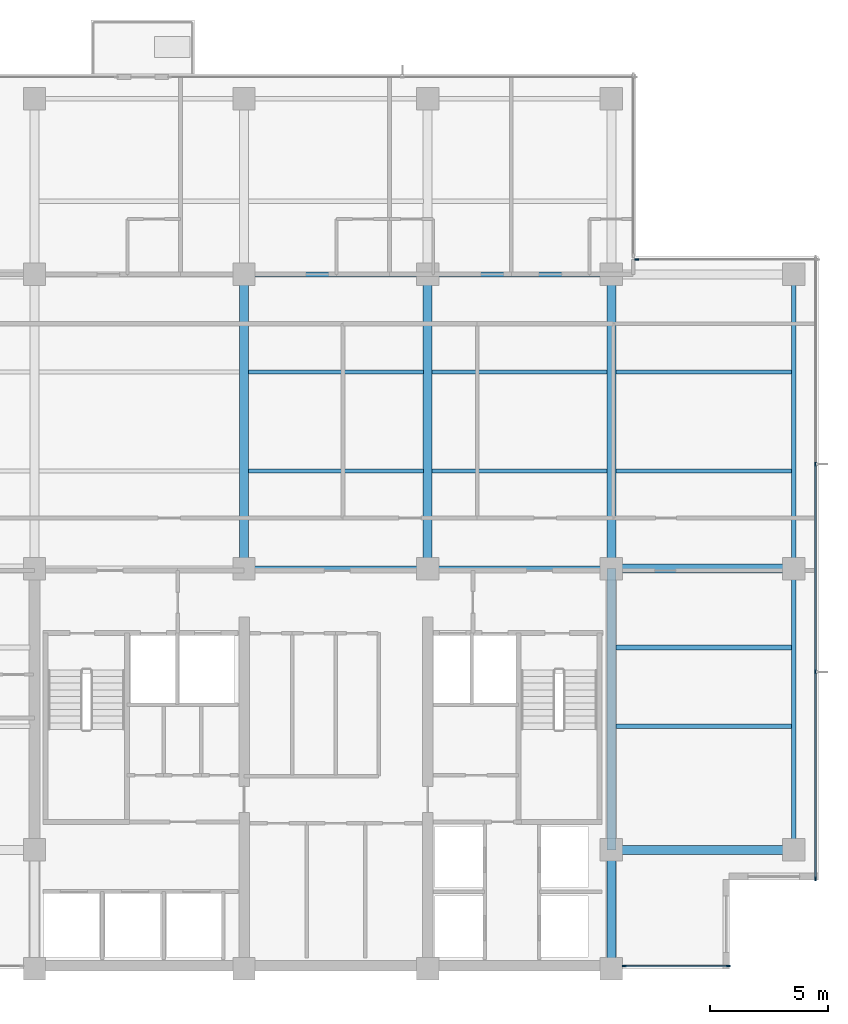
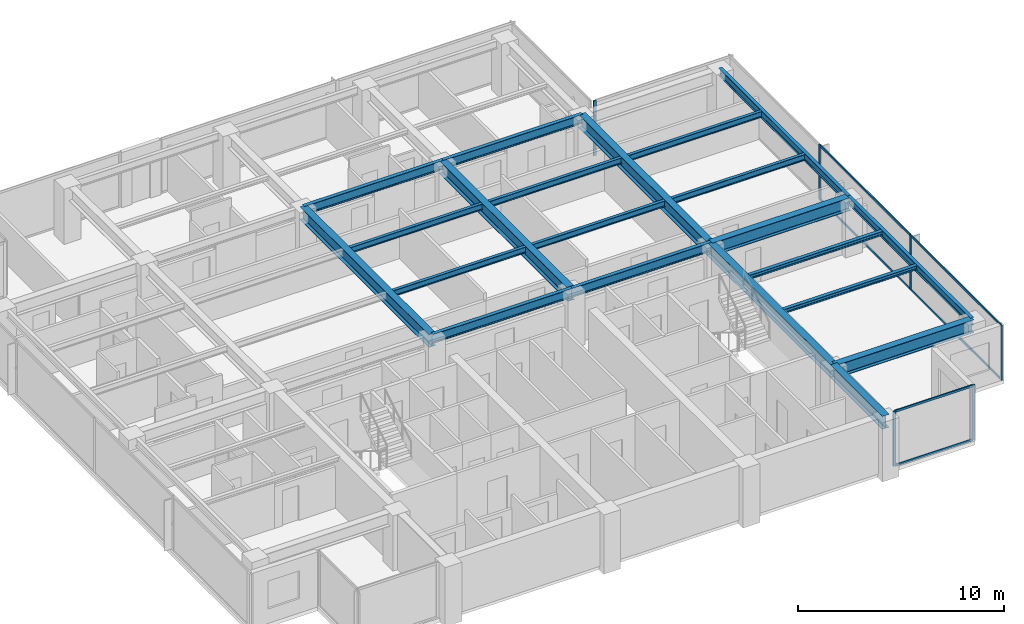
# One storey, part 3 of 14: 21 beams, 12 members, 3 elements without a shape of their own.
"""IFC4 building model written with IfcOpenShell, lengths in metres."""

from ifc_helpers import new_model, si_unit, direction, frame, origin, origin_2d, place, context, subcontext, project, spatial, rectangle, i_section, extrude, material, layer, layer_set, material_profile, profile_set, type_object, element, aggregate, save


model = new_model("IFC4")

# Units and contexts
model_context = context("Model", 3, precision=1e-05, world=origin(), true_north=direction((0.0, 1.0)))
body_context = subcontext(model_context, "Body", "Model", "MODEL_VIEW")
ifc_project = project(units=[si_unit("LENGTHUNIT", "METRE"), si_unit("AREAUNIT", "SQUARE_METRE"), si_unit("VOLUMEUNIT", "CUBIC_METRE"), si_unit("PLANEANGLEUNIT", "RADIAN"), si_unit("MASSUNIT", "GRAM", prefix="KILO")], contexts=[model_context])

# Site, building, storey
site_placement = place(None, origin())
site = spatial("IfcSite", under=ifc_project, at=site_placement, CompositionType="ELEMENT")
building_placement = place(site_placement, origin())
building = spatial("IfcBuilding", under=site, at=building_placement, Name="Qalmaran Belvedere Hotel", CompositionType="ELEMENT")
storey_placement = place(building_placement, frame((0.0, 0.0, 200.39990234375)))
storey = spatial("IfcBuildingStorey", under=building, at=storey_placement, Name="L50", CompositionType="ELEMENT", Elevation=200.39990234375)

# Beams
ifc_material_1 = material(Name="Steel S355JR", Category="steel")
ifc_material_profile_1 = material_profile(ifc_material_1, i_section(OverallWidth=0.201904296875, OverallDepth=0.2470703125, WebThickness=0.00732421875, FlangeThickness=0.010986328125, FilletRadius=0.011962890625, at=origin_2d()), Name="W250X49")
ifc_profile_set_1 = profile_set([ifc_material_profile_1], Name="Steel S355JR")
beam_type_1 = type_object("IfcBeamType", Name="BM-JST-W250X49", PredefinedType="JOIST", material=ifc_profile_set_1)
for number, where, z_axis, x_axis, name in (
    (1, (44.988525390625, 13.800048828125, 3.13671875), (1.0, 0.0, 0.0), (0.0, 1.0, 0.0), "L50 East Wing Joist 039"),
    (2, (44.988525390625, 17.14990234375, 3.13671875), (1.0, 0.0, 0.0), (0.0, 1.0, 0.0), "L50 East Wing Joist 041"),
):
    element("IfcBeam", number, at=place(storey_placement, frame(where, z_axis=z_axis, x_axis=x_axis)), inside=storey, type_object=beam_type_1, Name=name, PredefinedType="JOIST", context=body_context, shape_type="SweptSolid", body=[
        extrude(i_section(OverallWidth=0.201904296875, OverallDepth=0.2470703125, WebThickness=0.00732421875, FlangeThickness=0.010986328125, FilletRadius=0.011962890625, at=origin_2d()), origin(), (0.0, 0.0, 1.0), 7.467529296875),
    ])
ifc_material_profile_2 = material_profile(ifc_material_1, i_section(OverallWidth=0.381103515625, OverallDepth=0.77294921875, WebThickness=0.0166015625, FlangeThickness=0.027099609375, FilletRadius=0.02197265625, at=origin_2d()), Name="W760X257")
ifc_profile_set_2 = profile_set([ifc_material_profile_2], Name="Steel S355JR")
beam_type_2 = type_object("IfcBeamType", Name="BM-PG4-W760X257", PredefinedType="USERDEFINED", material=ifc_profile_set_2)
for number, where, z_axis, x_axis, name in (
    (3, (29.199951171875, 20.5, 2.87353515625), (0.0, 1.0, 0.0), (-1.0, 0.0, 0.0), "L50 Mid-Plate N-S Girder 16"),
    (4, (37.0, 20.5, 2.87353515625), (0.0, 1.0, 0.0), (-1.0, 0.0, 0.0), "L50 Mid-Plate N-S Girder 18"),
    (5, (44.800048828125, 20.5, 2.87353515625), (0.0, 1.0, 0.0), (-1.0, 0.0, 0.0), "L50 Mid-Plate N-S Girder 20"),
):
    element("IfcBeam", number, at=place(storey_placement, frame(where, z_axis=z_axis, x_axis=x_axis)), inside=storey, type_object=beam_type_2, Name=name, ObjectType="GIRDER", PredefinedType="USERDEFINED", context=body_context, shape_type="SweptSolid", body=[
        extrude(i_section(OverallWidth=0.381103515625, OverallDepth=0.77294921875, WebThickness=0.0166015625, FlangeThickness=0.027099609375, FilletRadius=0.02197265625, at=origin_2d()), origin(), (0.0, 0.0, 1.0), 12.5),
    ])
beam_1_placement = place(storey_placement, frame((44.800048828125, 3.5, 2.87353515625), z_axis=(0.0, 1.0, 0.0), x_axis=(-1.0, 0.0, 0.0)))
element("IfcBeam", 6, at=beam_1_placement, inside=storey, type_object=beam_type_2, Name="L50 East Core Edge Girder A", ObjectType="GIRDER", PredefinedType="USERDEFINED", context=body_context, shape_type="SweptSolid", body=[
    extrude(i_section(OverallWidth=0.381103515625, OverallDepth=0.77294921875, WebThickness=0.0166015625, FlangeThickness=0.027099609375, FilletRadius=0.02197265625, at=origin_2d()), origin(), (0.0, 0.0, 1.0), 5.050048828125),
])
beam_2_placement = place(storey_placement, frame((44.800048828125, 8.550048828125, 2.87353515625), z_axis=(0.0, 1.0, 0.0), x_axis=(-1.0, 0.0, 0.0)))
element("IfcBeam", 7, at=beam_2_placement, inside=storey, type_object=beam_type_2, Name="L50 East Core Edge Girder B", ObjectType="GIRDER", PredefinedType="USERDEFINED", context=body_context, shape_type="SweptSolid", body=[
    extrude(i_section(OverallWidth=0.381103515625, OverallDepth=0.77294921875, WebThickness=0.0166015625, FlangeThickness=0.027099609375, FilletRadius=0.02197265625, at=origin_2d()), origin(), (0.0, 0.0, 1.0), 11.949951171875),
])
for number, where, z_axis, x_axis, name in (
    (8, (44.800048828125, 8.550048828125, 2.87353515625), (1.0, 0.0, 0.0), (0.0, 1.0, 0.0), "L50 East Wing Girder 25"),
    (9, (44.800048828125, 20.5, 2.87353515625), (1.0, 0.0, 0.0), (0.0, 1.0, 0.0), "L50 East Wing Girder 26"),
):
    element("IfcBeam", number, at=place(storey_placement, frame(where, z_axis=z_axis, x_axis=x_axis)), inside=storey, type_object=beam_type_2, Name=name, ObjectType="GIRDER", PredefinedType="USERDEFINED", context=body_context, shape_type="SweptSolid", body=[
        extrude(i_section(OverallWidth=0.381103515625, OverallDepth=0.77294921875, WebThickness=0.0166015625, FlangeThickness=0.027099609375, FilletRadius=0.02197265625, at=origin_2d()), origin(), (0.0, 0.0, 1.0), 7.75),
    ])
ifc_material_profile_3 = material_profile(ifc_material_1, i_section(OverallWidth=0.172119140625, OverallDepth=0.35791015625, WebThickness=0.0078125, FlangeThickness=0.01318359375, FilletRadius=0.014892578125, at=origin_2d()), Name="W360X57")
ifc_profile_set_3 = profile_set([ifc_material_profile_3], Name="Steel S355JR")
beam_type_3 = type_object("IfcBeamType", Name="BM-SB4-W360X57", PredefinedType="BEAM", material=ifc_profile_set_3)
for number, where, z_axis, x_axis, name in (
    (10, (29.388427734375, 24.64990234375, 3.0810546875), (1.0, 0.0, 0.0), (0.0, 1.0, 0.0), "L50 Secondary Floor Beam 030"),
    (11, (37.1884765625, 24.64990234375, 3.0810546875), (1.0, 0.0, 0.0), (0.0, 1.0, 0.0), "L50 Secondary Floor Beam 031"),
):
    element("IfcBeam", number, at=place(storey_placement, frame(where, z_axis=z_axis, x_axis=x_axis)), inside=storey, type_object=beam_type_3, Name=name, PredefinedType="BEAM", context=body_context, shape_type="SweptSolid", body=[
        extrude(i_section(OverallWidth=0.172119140625, OverallDepth=0.35791015625, WebThickness=0.0078125, FlangeThickness=0.01318359375, FilletRadius=0.014892578125, at=origin_2d()), origin(), (0.0, 0.0, 1.0), 7.423095703125),
    ])
beam_3_placement = place(storey_placement, frame((44.988525390625, 24.64990234375, 3.0810546875), z_axis=(1.0, 0.0, 0.0), x_axis=(0.0, 1.0, 0.0)))
element("IfcBeam", 12, at=beam_3_placement, inside=storey, type_object=beam_type_3, Name="L50 East Secondary Beam 032", PredefinedType="BEAM", context=body_context, shape_type="SweptSolid", body=[
    extrude(i_section(OverallWidth=0.172119140625, OverallDepth=0.35791015625, WebThickness=0.0078125, FlangeThickness=0.01318359375, FilletRadius=0.014892578125, at=origin_2d()), origin(), (0.0, 0.0, 1.0), 7.467529296875),
])
for number, where, z_axis, x_axis, name in (
    (13, (29.388427734375, 28.85009765625, 3.0810546875), (1.0, 0.0, 0.0), (0.0, 1.0, 0.0), "L50 Secondary Floor Beam 035"),
    (14, (37.1884765625, 28.85009765625, 3.0810546875), (1.0, 0.0, 0.0), (0.0, 1.0, 0.0), "L50 Secondary Floor Beam 036"),
):
    element("IfcBeam", number, at=place(storey_placement, frame(where, z_axis=z_axis, x_axis=x_axis)), inside=storey, type_object=beam_type_3, Name=name, PredefinedType="BEAM", context=body_context, shape_type="SweptSolid", body=[
        extrude(i_section(OverallWidth=0.172119140625, OverallDepth=0.35791015625, WebThickness=0.0078125, FlangeThickness=0.01318359375, FilletRadius=0.014892578125, at=origin_2d()), origin(), (0.0, 0.0, 1.0), 7.423095703125),
    ])
beam_4_placement = place(storey_placement, frame((44.988525390625, 28.85009765625, 3.0810546875), z_axis=(1.0, 0.0, 0.0), x_axis=(0.0, 1.0, 0.0)))
element("IfcBeam", 15, at=beam_4_placement, inside=storey, type_object=beam_type_3, Name="L50 East Secondary Beam 037", PredefinedType="BEAM", context=body_context, shape_type="SweptSolid", body=[
    extrude(i_section(OverallWidth=0.172119140625, OverallDepth=0.35791015625, WebThickness=0.0078125, FlangeThickness=0.01318359375, FilletRadius=0.014892578125, at=origin_2d()), origin(), (0.0, 0.0, 1.0), 7.467529296875),
])
ifc_material_profile_4 = material_profile(ifc_material_1, i_section(OverallWidth=0.19189453125, OverallDepth=0.462890625, WebThickness=0.010498046875, FlangeThickness=0.017578125, FilletRadius=0.01611328125, at=origin_2d()), Name="W460X89")
ifc_profile_set_4 = profile_set([ifc_material_profile_4], Name="Steel S355JR")
beam_type_4 = type_object("IfcBeamType", Name="BM-SP2-W460X89", PredefinedType="SPANDREL", material=ifc_profile_set_4)
beam_5_placement = place(storey_placement, frame((52.550048828125, 8.550048828125, 3.028564453125), z_axis=(0.0, 1.0, 0.0), x_axis=(-1.0, 0.0, 0.0)))
element("IfcBeam", 16, at=beam_5_placement, inside=storey, type_object=beam_type_4, Name="L50 Perimeter Spandrel 03", PredefinedType="SPANDREL", context=body_context, shape_type="SweptSolid", body=[
    extrude(i_section(OverallWidth=0.19189453125, OverallDepth=0.462890625, WebThickness=0.010498046875, FlangeThickness=0.017578125, FilletRadius=0.01611328125, at=origin_2d()), origin(), (0.0, 0.0, 1.0), 11.949951171875),
])
beam_6_placement = place(storey_placement, frame((52.550048828125, 20.5, 3.028564453125), z_axis=(0.0, 1.0, 0.0), x_axis=(-1.0, 0.0, 0.0)))
element("IfcBeam", 17, at=beam_6_placement, inside=storey, type_object=beam_type_4, Name="L50 Perimeter Spandrel 04", PredefinedType="SPANDREL", context=body_context, shape_type="SweptSolid", body=[
    extrude(i_section(OverallWidth=0.19189453125, OverallDepth=0.462890625, WebThickness=0.010498046875, FlangeThickness=0.017578125, FilletRadius=0.01611328125, at=origin_2d()), origin(), (0.0, 0.0, 1.0), 12.5),
])
ifc_material_profile_5 = material_profile(ifc_material_1, i_section(OverallWidth=0.2109375, OverallDepth=0.5390625, WebThickness=0.01171875, FlangeThickness=0.018798828125, FilletRadius=0.01806640625, at=origin_2d()), Name="W530X109")
ifc_profile_set_5 = profile_set([ifc_material_profile_5], Name="Steel S355JR")
beam_type_5 = type_object("IfcBeamType", Name="BM-Z4-W530X109", PredefinedType="USERDEFINED", material=ifc_profile_set_5)
for number, where, z_axis, x_axis, name in (
    (18, (29.199951171875, 20.5, 2.990478515625), (1.0, 0.0, 0.0), (0.0, 1.0, 0.0), "L50 Interior E-W Girder 09"),
    (19, (37.0, 20.5, 2.990478515625), (1.0, 0.0, 0.0), (0.0, 1.0, 0.0), "L50 Interior E-W Girder 10"),
    (20, (29.199951171875, 33.0, 2.990478515625), (1.0, 0.0, 0.0), (0.0, 1.0, 0.0), "L50 Interior E-W Girder 12"),
    (21, (37.0, 33.0, 2.990478515625), (1.0, 0.0, 0.0), (0.0, 1.0, 0.0), "L50 Interior E-W Girder 13"),
):
    element("IfcBeam", number, at=place(storey_placement, frame(where, z_axis=z_axis, x_axis=x_axis)), inside=storey, type_object=beam_type_5, Name=name, ObjectType="GIRDER", PredefinedType="USERDEFINED", context=body_context, shape_type="SweptSolid", body=[
        extrude(i_section(OverallWidth=0.2109375, OverallDepth=0.5390625, WebThickness=0.01171875, FlangeThickness=0.018798828125, FilletRadius=0.01806640625, at=origin_2d()), origin(), (0.0, 0.0, 1.0), 7.800048828125),
    ])

# Curtain wall, members
ifc_material_2 = material(Name="Anodised Bronze Aluminium", Category="aluminium")
ifc_layer = layer(ifc_material_2, 0.18994140625, Name="Anodised Bronze Aluminium")
ifc_layer_set = layer_set([ifc_layer], Name="Anodised Bronze Aluminium")
curtain_wall_type = type_object("IfcCurtainWallType", Name="CW5-TOWER-UPPER", PredefinedType="NOTDEFINED", material=ifc_layer_set)
curtain_wall_1_placement = place(storey_placement, origin())
curtain_wall_1 = element("IfcCurtainWall", 22, at=curtain_wall_1_placement, inside=storey, type_object=curtain_wall_type, Name="L50 Curtain Wall CW5", PredefinedType="NOTDEFINED")
ifc_material_profile_6 = material_profile(ifc_material_2, rectangle(XDim=0.06494140625, YDim=0.1650390625, at=origin_2d()), Name="CWM65X165")
ifc_profile_set_6 = profile_set([ifc_material_profile_6], Name="Anodised Bronze Aluminium")
member_type_1 = type_object("IfcMemberType", Name="CWM-65X165", PredefinedType="MULLION", material=ifc_profile_set_6)
member_1_placement = place(storey_placement, frame((45.347412109375, 3.6201171875, 0.0), z_axis=(0.0, 0.0, 1.0), x_axis=(0.0, 1.0, 0.0)))
member_1 = element("IfcMember", 23, at=member_1_placement, type_object=member_type_1, Name="CW5 mullion 1", PredefinedType="MULLION", context=body_context, shape_type="SweptSolid", body=[
    extrude(rectangle(XDim=0.06494140625, YDim=0.1650390625, at=origin_2d()), origin(), (0.0, 0.0, 1.0), 3.260009765625),
])
member_2_placement = place(storey_placement, frame((49.767578125, 3.6201171875, 0.0), z_axis=(0.0, 0.0, 1.0), x_axis=(0.0, 1.0, 0.0)))
member_2 = element("IfcMember", 24, at=member_2_placement, type_object=member_type_1, Name="CW5 mullion 2", PredefinedType="MULLION", context=body_context, shape_type="SweptSolid", body=[
    extrude(rectangle(XDim=0.06494140625, YDim=0.1650390625, at=origin_2d()), origin(), (0.0, 0.0, 1.0), 3.260009765625),
])

curtain_wall_2_placement = place(storey_placement, origin())
curtain_wall_2 = element("IfcCurtainWall", 25, at=curtain_wall_2_placement, inside=storey, type_object=curtain_wall_type, Name="L50 Curtain Wall CW5", PredefinedType="NOTDEFINED")
member_3_placement = place(storey_placement, frame((53.47998046875, 7.33251953125, 0.0), z_axis=(0.0, 0.0, 1.0), x_axis=(-1.0, 0.0, 0.0)))
member_3 = element("IfcMember", 26, at=member_3_placement, type_object=member_type_1, Name="CW5 mullion 1", PredefinedType="MULLION", context=body_context, shape_type="SweptSolid", body=[
    extrude(rectangle(XDim=0.06494140625, YDim=0.1650390625, at=origin_2d()), origin(), (0.0, 0.0, 1.0), 3.260009765625),
])
member_4_placement = place(storey_placement, frame((53.47998046875, 16.11669921875, 0.0), z_axis=(0.0, 0.0, 1.0), x_axis=(-1.0, 0.0, 0.0)))
member_4 = element("IfcMember", 27, at=member_4_placement, type_object=member_type_1, Name="CW5 mullion 2", PredefinedType="MULLION", context=body_context, shape_type="SweptSolid", body=[
    extrude(rectangle(XDim=0.06494140625, YDim=0.1650390625, at=origin_2d()), origin(), (0.0, 0.0, 1.0), 3.260009765625),
])
member_5_placement = place(storey_placement, frame((53.47998046875, 24.933349609375, 0.0), z_axis=(0.0, 0.0, 1.0), x_axis=(-1.0, 0.0, 0.0)))
member_5 = element("IfcMember", 28, at=member_5_placement, type_object=member_type_1, Name="CW5 mullion 3", PredefinedType="MULLION", context=body_context, shape_type="SweptSolid", body=[
    extrude(rectangle(XDim=0.06494140625, YDim=0.1650390625, at=origin_2d()), origin(), (0.0, 0.0, 1.0), 3.260009765625),
])

# Curtain wall, member
curtain_wall_3_placement = place(storey_placement, origin())
curtain_wall_3 = element("IfcCurtainWall", 29, at=curtain_wall_3_placement, inside=storey, type_object=curtain_wall_type, Name="L50 Curtain Wall CW5", PredefinedType="NOTDEFINED")
member_6_placement = place(storey_placement, frame((45.882568359375, 33.6298828125, 0.0), z_axis=(0.0, 0.0, 1.0), x_axis=(0.0, -1.0, 0.0)))
member_6 = element("IfcMember", 30, at=member_6_placement, type_object=member_type_1, Name="CW5 mullion 2", PredefinedType="MULLION", context=body_context, shape_type="SweptSolid", body=[
    extrude(rectangle(XDim=0.06494140625, YDim=0.1650390625, at=origin_2d()), origin(), (0.0, 0.0, 1.0), 3.260009765625),
])
aggregate(curtain_wall_3, [member_6])

# Member
ifc_material_profile_7 = material_profile(ifc_material_2, rectangle(XDim=0.06494140625, YDim=0.1298828125, at=origin_2d()), Name="CWT65X130")
ifc_profile_set_7 = profile_set([ifc_material_profile_7], Name="Anodised Bronze Aluminium")
member_type_2 = type_object("IfcMemberType", Name="CWT-65X130", PredefinedType="USERDEFINED", material=ifc_profile_set_7)
member_7_placement = place(storey_placement, frame((45.3798828125, 3.6201171875, 0.03271484375), z_axis=(1.0, 0.0, 0.0), x_axis=(0.0, 1.0, 0.0)))
member_7 = element("IfcMember", 31, at=member_7_placement, type_object=member_type_2, Name="CW5 transom 1.1", ObjectType="TRANSOM", PredefinedType="USERDEFINED", context=body_context, shape_type="SweptSolid", body=[
    extrude(rectangle(XDim=0.06494140625, YDim=0.1298828125, at=origin_2d()), origin(), (0.0, 0.0, 1.0), 4.355224609375),
])

member_8_placement = place(storey_placement, frame((45.3798828125, 3.6201171875, 3.2275390625), z_axis=(1.0, 0.0, 0.0), x_axis=(0.0, 1.0, 0.0)))
member_8 = element("IfcMember", 32, at=member_8_placement, type_object=member_type_2, Name="CW5 transom 1.2", ObjectType="TRANSOM", PredefinedType="USERDEFINED", context=body_context, shape_type="SweptSolid", body=[
    extrude(rectangle(XDim=0.06494140625, YDim=0.1298828125, at=origin_2d()), origin(), (0.0, 0.0, 1.0), 4.355224609375),
])

aggregate(curtain_wall_1, [member_1, member_2, member_7, member_8])

member_9_placement = place(storey_placement, frame((53.47998046875, 7.364990234375, 0.03271484375), z_axis=(0.0, 1.0, 0.0), x_axis=(-1.0, 0.0, 0.0)))
member_9 = element("IfcMember", 33, at=member_9_placement, type_object=member_type_2, Name="CW5 transom 1.1", ObjectType="TRANSOM", PredefinedType="USERDEFINED", context=body_context, shape_type="SweptSolid", body=[
    extrude(rectangle(XDim=0.06494140625, YDim=0.1298828125, at=origin_2d()), origin(), (0.0, 0.0, 1.0), 8.71923828125),
])

member_10_placement = place(storey_placement, frame((53.47998046875, 7.364990234375, 3.2275390625), z_axis=(0.0, 1.0, 0.0), x_axis=(-1.0, 0.0, 0.0)))
member_10 = element("IfcMember", 34, at=member_10_placement, type_object=member_type_2, Name="CW5 transom 1.2", ObjectType="TRANSOM", PredefinedType="USERDEFINED", context=body_context, shape_type="SweptSolid", body=[
    extrude(rectangle(XDim=0.06494140625, YDim=0.1298828125, at=origin_2d()), origin(), (0.0, 0.0, 1.0), 8.71923828125),
])

member_11_placement = place(storey_placement, frame((53.47998046875, 16.149169921875, 0.03271484375), z_axis=(0.0, 1.0, 0.0), x_axis=(-1.0, 0.0, 0.0)))
member_11 = element("IfcMember", 35, at=member_11_placement, type_object=member_type_2, Name="CW5 transom 2.1", ObjectType="TRANSOM", PredefinedType="USERDEFINED", context=body_context, shape_type="SweptSolid", body=[
    extrude(rectangle(XDim=0.06494140625, YDim=0.1298828125, at=origin_2d()), origin(), (0.0, 0.0, 1.0), 8.751708984375),
])

member_12_placement = place(storey_placement, frame((53.47998046875, 16.149169921875, 3.2275390625), z_axis=(0.0, 1.0, 0.0), x_axis=(-1.0, 0.0, 0.0)))
member_12 = element("IfcMember", 36, at=member_12_placement, type_object=member_type_2, Name="CW5 transom 2.2", ObjectType="TRANSOM", PredefinedType="USERDEFINED", context=body_context, shape_type="SweptSolid", body=[
    extrude(rectangle(XDim=0.06494140625, YDim=0.1298828125, at=origin_2d()), origin(), (0.0, 0.0, 1.0), 8.751708984375),
])

aggregate(curtain_wall_2, [member_3, member_4, member_5, member_9, member_10, member_11, member_12])

save(model, "model.ifc")
